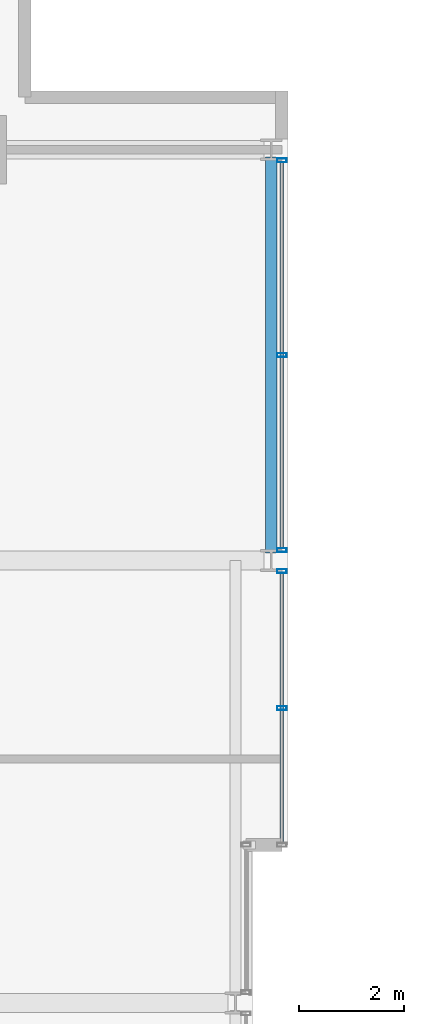
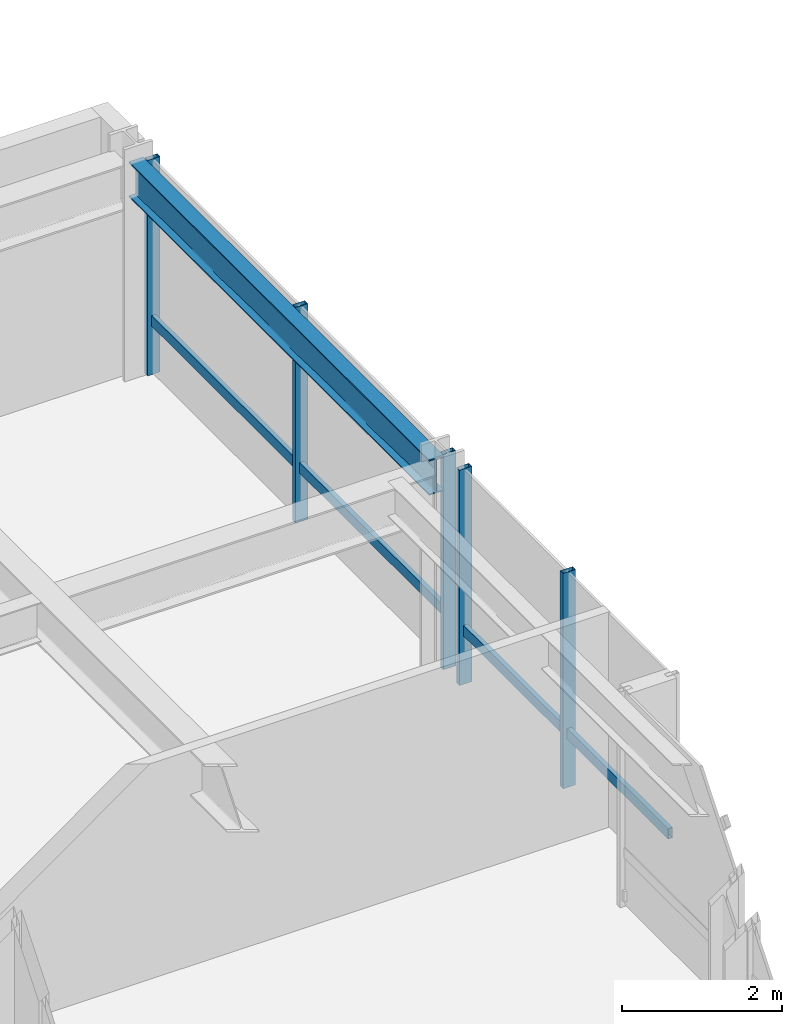
# One storey, part 24 of 33: 7 members, 1 beam, 2 elements without a shape of their own.
"""IFC4 building model written with IfcOpenShell, lengths in metres."""

from ifc_helpers import new_model, si_unit, direction, frame, origin, origin_2d, place, context, subcontext, project, spatial, hollow_rectangle, i_section, extrude, material, layer, layer_set, material_profile, profile_set, type_object, element, aggregate, save


model = new_model("IFC4")

# Units and contexts
model_context = context("Model", 3, precision=1e-05, world=origin(), true_north=direction((0.0, 1.0)))
body_context = subcontext(model_context, "Body", "Model", "MODEL_VIEW")
ifc_project = project(units=[si_unit("LENGTHUNIT", "METRE"), si_unit("AREAUNIT", "SQUARE_METRE"), si_unit("VOLUMEUNIT", "CUBIC_METRE"), si_unit("PLANEANGLEUNIT", "RADIAN"), si_unit("MASSUNIT", "GRAM", prefix="KILO")], contexts=[model_context])

# Site, building, storey
site_placement = place(None, origin())
site = spatial("IfcSite", under=ifc_project, at=site_placement, CompositionType="ELEMENT")
building_placement = place(site_placement, origin())
building = spatial("IfcBuilding", under=site, at=building_placement, Name="Drelvath Grand Hotel", CompositionType="ELEMENT")
storey_placement = place(building_placement, frame((0.0, 0.0, 161.050048828125)))
storey = spatial("IfcBuildingStorey", under=building, at=storey_placement, Name="L41", CompositionType="ELEMENT", Elevation=161.050048828125)

# Curtain wall, member
ifc_material_1 = material(Name="Brushed Pale-Silver Anodised Aluminium Frame", Category="aluminium")
ifc_layer = layer(ifc_material_1, 0.199951171875)
ifc_layer_set = layer_set([ifc_layer], Name="Brushed Pale-Silver Anodised Aluminium Frame")
curtain_wall_type = type_object("IfcCurtainWallType", Name="Stick Curtain Wall CW-04 Brushed Silver Upper-Mid", PredefinedType="NOTDEFINED", material=ifc_layer_set)
curtain_wall_1_placement = place(storey_placement, origin())
curtain_wall_1 = element("IfcCurtainWall", 1, at=curtain_wall_1_placement, inside=storey, type_object=curtain_wall_type, Name="L41 CW-04 Curtain Wall CW04-L41-EN1", PredefinedType="NOTDEFINED")
ifc_material_profile_1 = material_profile(ifc_material_1, hollow_rectangle(XDim=0.06494140625, YDim=0.159912109375, WallThickness=0.00390625, at=origin_2d()), Name="HSS160X65X4")
ifc_profile_set_1 = profile_set([ifc_material_profile_1], Name="Brushed Pale-Silver Anodised Aluminium Frame")
member_type_1 = type_object("IfcMemberType", Name="Curtain Wall Horizontal Transom CW-04 HSS160X65X4", PredefinedType="USERDEFINED", material=ifc_profile_set_1)
member_1_placement = place(storey_placement, frame((22.080078125, 35.159912109375, 0.822509765625), z_axis=(0.0, -1.0, 0.0), x_axis=(1.0, 0.0, 0.0)))
member_1 = element("IfcMember", 2, at=member_1_placement, type_object=member_type_1, Name="CW04-L41-EN1 Sill Transom", ObjectType="TRANSOM", PredefinedType="USERDEFINED", context=body_context, shape_type="SweptSolid", body=[
    extrude(hollow_rectangle(XDim=0.06494140625, YDim=0.159912109375, WallThickness=0.00390625, at=origin_2d()), origin(), (0.0, 0.0, 1.0), 5.119873046875),
])

curtain_wall_2_placement = place(storey_placement, origin())
curtain_wall_2 = element("IfcCurtainWall", 3, at=curtain_wall_2_placement, inside=storey, type_object=curtain_wall_type, Name="L41 CW-04 Curtain Wall CW04-L41-EN2", PredefinedType="NOTDEFINED")
member_2_placement = place(storey_placement, frame((22.080078125, 42.9599609375, 0.822509765625), z_axis=(0.0, -1.0, 0.0), x_axis=(1.0, 0.0, 0.0)))
member_2 = element("IfcMember", 4, at=member_2_placement, type_object=member_type_1, Name="CW04-L41-EN2 Sill Transom", ObjectType="TRANSOM", PredefinedType="USERDEFINED", context=body_context, shape_type="SweptSolid", body=[
    extrude(hollow_rectangle(XDim=0.06494140625, YDim=0.159912109375, WallThickness=0.00390625, at=origin_2d()), origin(), (0.0, 0.0, 1.0), 7.320068359375),
])

# Member
ifc_material_profile_2 = material_profile(ifc_material_1, hollow_rectangle(XDim=0.074951171875, YDim=0.179931640625, WallThickness=0.0048828125, at=origin_2d()), Name="HSS180X75X5")
ifc_profile_set_2 = profile_set([ifc_material_profile_2], Name="Brushed Pale-Silver Anodised Aluminium Frame")
member_type_2 = type_object("IfcMemberType", Name="Curtain Wall Vertical Mullion CW-04 HSS180X75X5", PredefinedType="MULLION", material=ifc_profile_set_2)
member_3_placement = place(storey_placement, frame((22.080078125, 35.199951171875, 0.0), z_axis=(0.0, 0.0, 1.0), x_axis=(0.0, 1.0, 0.0)))
member_3 = element("IfcMember", 5, at=member_3_placement, type_object=member_type_2, Name="CW04-L41-EN1 Mullion 1", PredefinedType="MULLION", context=body_context, shape_type="SweptSolid", body=[
    extrude(hollow_rectangle(XDim=0.074951171875, YDim=0.179931640625, WallThickness=0.0048828125, at=origin_2d()), origin(), (0.0, 0.0, 1.0), 3.2900390625),
])

member_4_placement = place(storey_placement, frame((22.080078125, 32.60009765625, 0.0), z_axis=(0.0, 0.0, 1.0), x_axis=(0.0, 1.0, 0.0)))
member_4 = element("IfcMember", 6, at=member_4_placement, type_object=member_type_2, Name="CW04-L41-EN1 Mullion 2", PredefinedType="MULLION", context=body_context, shape_type="SweptSolid", body=[
    extrude(hollow_rectangle(XDim=0.074951171875, YDim=0.179931640625, WallThickness=0.0048828125, at=origin_2d()), origin(), (0.0, 0.0, 1.0), 3.2900390625),
])

aggregate(curtain_wall_1, [member_3, member_4, member_1])

member_5_placement = place(storey_placement, frame((22.080078125, 43.0, 0.0), z_axis=(0.0, 0.0, 1.0), x_axis=(0.0, 1.0, 0.0)))
member_5 = element("IfcMember", 7, at=member_5_placement, type_object=member_type_2, Name="CW04-L41-EN2 Mullion 1", PredefinedType="MULLION", context=body_context, shape_type="SweptSolid", body=[
    extrude(hollow_rectangle(XDim=0.074951171875, YDim=0.179931640625, WallThickness=0.0048828125, at=origin_2d()), origin(), (0.0, 0.0, 1.0), 3.2900390625),
])

member_6_placement = place(storey_placement, frame((22.080078125, 39.300048828125, 0.0), z_axis=(0.0, 0.0, 1.0), x_axis=(0.0, 1.0, 0.0)))
member_6 = element("IfcMember", 8, at=member_6_placement, type_object=member_type_2, Name="CW04-L41-EN2 Mullion 2", PredefinedType="MULLION", context=body_context, shape_type="SweptSolid", body=[
    extrude(hollow_rectangle(XDim=0.074951171875, YDim=0.179931640625, WallThickness=0.0048828125, at=origin_2d()), origin(), (0.0, 0.0, 1.0), 3.2900390625),
])

member_7_placement = place(storey_placement, frame((22.080078125, 35.60009765625, 0.0), z_axis=(0.0, 0.0, 1.0), x_axis=(0.0, 1.0, 0.0)))
member_7 = element("IfcMember", 9, at=member_7_placement, type_object=member_type_2, Name="CW04-L41-EN2 Mullion 3", PredefinedType="MULLION", context=body_context, shape_type="SweptSolid", body=[
    extrude(hollow_rectangle(XDim=0.074951171875, YDim=0.179931640625, WallThickness=0.0048828125, at=origin_2d()), origin(), (0.0, 0.0, 1.0), 3.2900390625),
])

aggregate(curtain_wall_2, [member_5, member_6, member_7, member_2])

# Beam
ifc_material_2 = material(Name="Steel ASTM A992 Gr 50", Category="steel")
ifc_material_profile_3 = material_profile(ifc_material_2, i_section(OverallWidth=0.210205078125, OverallDepth=0.53662109375, WebThickness=0.010986328125, FlangeThickness=0.017333984375, FilletRadius=0.01806640625, at=origin_2d()), Name="W21X68")
ifc_profile_set_3 = profile_set([ifc_material_profile_3], Name="Steel ASTM A992 Gr 50")
beam_type = type_object("IfcBeamType", Name="Perimeter Spandrel Beam W21X68", PredefinedType="SPANDREL", material=ifc_profile_set_3)
beam_placement = place(storey_placement, frame((21.8798828125, 35.5400390625, 3.021728515625), z_axis=(0.0, 1.0, 0.0), x_axis=(-1.0, 0.0, 0.0)))
element("IfcBeam", 10, at=beam_placement, inside=storey, type_object=beam_type, Name="L41 Spandrel East N", PredefinedType="SPANDREL", context=body_context, shape_type="SweptSolid", body=[
    extrude(i_section(OverallWidth=0.210205078125, OverallDepth=0.53662109375, WebThickness=0.010986328125, FlangeThickness=0.017333984375, FilletRadius=0.01806640625, at=origin_2d()), origin(), (0.0, 0.0, 1.0), 7.52001953125),
])

save(model, "model.ifc")
